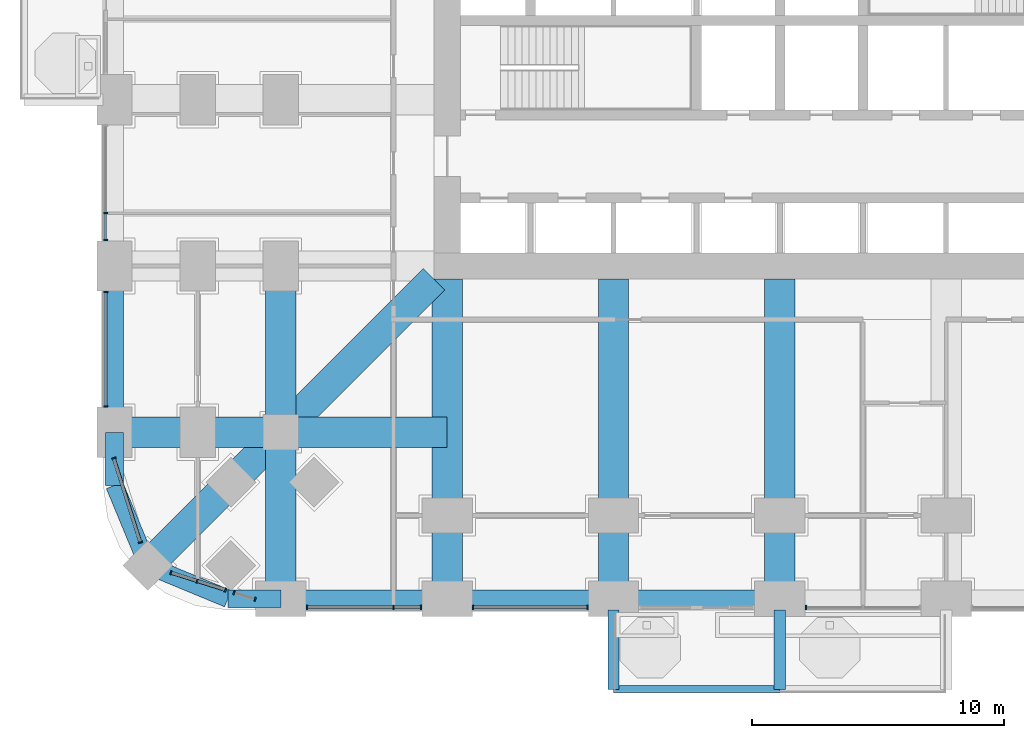
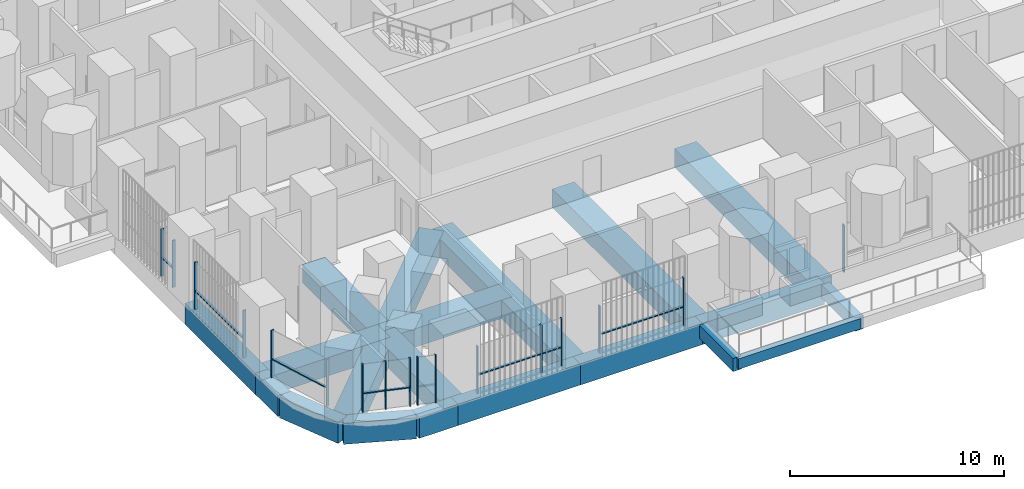
# One storey, part 2 of 24: 25 members, 20 beams, 8 elements without a shape of their own.
"""IFC4 building model written with IfcOpenShell, lengths in metres."""

from ifc_helpers import new_model, si_unit, direction, frame, origin, origin_2d, place, context, subcontext, project, spatial, rectangle, extrude, material, material_profile, profile_set, type_object, element, aggregate, save


model = new_model("IFC4")

# Units and contexts
model_context = context("Model", 3, precision=1e-05, world=origin(), true_north=direction((0.0, 1.0)))
body_context = subcontext(model_context, "Body", "Model", "MODEL_VIEW")
ifc_project = project(units=[si_unit("LENGTHUNIT", "METRE"), si_unit("AREAUNIT", "SQUARE_METRE"), si_unit("VOLUMEUNIT", "CUBIC_METRE"), si_unit("PLANEANGLEUNIT", "RADIAN"), si_unit("MASSUNIT", "GRAM", prefix="KILO")], contexts=[model_context])

# Site, building, storey
site_placement = place(None, origin())
site = spatial("IfcSite", under=ifc_project, at=site_placement, CompositionType="ELEMENT")
building_placement = place(site_placement, origin())
building = spatial("IfcBuilding", under=site, at=building_placement, Name="Cobogo Forest Laboratory Tower", CompositionType="ELEMENT")
storey_placement = place(building_placement, frame((0.0, 0.0, 17.10009765625)))
storey = spatial("IfcBuildingStorey", under=building, at=storey_placement, Name="L03", CompositionType="ELEMENT", Elevation=17.10009765625)

# Beams
ifc_material_1 = material(Name="Concrete HA-40 (C40/50)", Category="concrete")
ifc_material_profile_1 = material_profile(ifc_material_1, rectangle(XDim=0.449951171875, YDim=0.75, at=origin_2d()), Name="RC 450x750")
ifc_profile_set_1 = profile_set([ifc_material_profile_1], Name="Concrete HA-40 (C40/50)")
beam_type_1 = type_object("IfcBeamType", Name="Balcony cantilever beam 450x750", PredefinedType="BEAM", material=ifc_profile_set_1)
for number, where, z_axis, x_axis, name in (
    (1, (19.800048828125, -0.449951171875, -0.625), (0.0, -1.0, 0.0), (1.0, 0.0, 0.0), "CB1 BAL-S1-C1 L03"),
    (2, (26.39990234375, -0.449951171875, -0.625), (0.0, -1.0, 0.0), (1.0, 0.0, 0.0), "CB1 BAL-S1-C2 L03"),
):
    element("IfcBeam", number, at=place(storey_placement, frame(where, z_axis=z_axis, x_axis=x_axis)), inside=storey, type_object=beam_type_1, Name=name, PredefinedType="BEAM", context=body_context, shape_type="SweptSolid", body=[
        extrude(rectangle(XDim=0.449951171875, YDim=0.75, at=origin_2d()), origin(), (0.0, 0.0, 1.0), 3.150146484375),
    ])
ifc_material_profile_2 = material_profile(ifc_material_1, rectangle(XDim=0.300048828125, YDim=0.60009765625, at=origin_2d()), Name="RC 300x600")
ifc_profile_set_2 = profile_set([ifc_material_profile_2], Name="Concrete HA-40 (C40/50)")
beam_type_2 = type_object("IfcBeamType", Name="Balcony edge beam 300x600", PredefinedType="BEAM", material=ifc_profile_set_2)
beam_1_placement = place(storey_placement, frame((19.800048828125, -3.60009765625, -0.550048828125), z_axis=(1.0, 0.0, 0.0), x_axis=(0.0, 1.0, 0.0)))
element("IfcBeam", 3, at=beam_1_placement, inside=storey, type_object=beam_type_2, Name="BB1 BAL-S1-T1 L03", PredefinedType="BEAM", context=body_context, shape_type="SweptSolid", body=[
    extrude(rectangle(XDim=0.300048828125, YDim=0.60009765625, at=origin_2d()), origin(), (0.0, 0.0, 1.0), 6.599853515625),
])
ifc_material_profile_3 = material_profile(ifc_material_1, rectangle(XDim=1.199951171875, YDim=1.050048828125, at=origin_2d()), Name="RC 1200x1050")
ifc_profile_set_3 = profile_set([ifc_material_profile_3], Name="Concrete HA-40 (C40/50)")
beam_type_3 = type_object("IfcBeamType", Name="Laboratory floor wide beam 1200x1050", PredefinedType="BEAM", material=ifc_profile_set_3)
for number, where, z_axis, x_axis, name in (
    (4, (13.199951171875, 12.675048828125, -0.8251953125), (0.0, -1.0, 0.0), (1.0, 0.0, 0.0), "RB1 R-3-S L03"),
    (5, (19.800048828125, 12.675048828125, -0.8251953125), (0.0, -1.0, 0.0), (1.0, 0.0, 0.0), "RB1 R-4-S L03"),
    (6, (26.39990234375, 12.675048828125, -0.8251953125), (0.0, -1.0, 0.0), (1.0, 0.0, 0.0), "RB1 R-5-S L03"),
):
    element("IfcBeam", number, at=place(storey_placement, frame(where, z_axis=z_axis, x_axis=x_axis)), inside=storey, type_object=beam_type_3, Name=name, PredefinedType="BEAM", context=body_context, shape_type="SweptSolid", body=[
        extrude(rectangle(XDim=1.199951171875, YDim=1.050048828125, at=origin_2d()), origin(), (0.0, 0.0, 1.0), 12.675048828125),
    ])
beam_2_placement = place(storey_placement, frame((6.60009765625, 0.0, -0.8251953125), z_axis=(0.0, 1.0, 0.0), x_axis=(-1.0, 0.0, 0.0)))
element("IfcBeam", 7, at=beam_2_placement, inside=storey, type_object=beam_type_3, Name="RB1 G-SW-XF L03", PredefinedType="BEAM", context=body_context, shape_type="SweptSolid", body=[
    extrude(rectangle(XDim=1.199951171875, YDim=1.050048828125, at=origin_2d()), origin(), (0.0, 0.0, 1.0), 6.60009765625),
])
beam_3_placement = place(storey_placement, frame((6.60009765625, 6.60009765625, -0.8251953125), z_axis=(0.0, 1.0, 0.0), x_axis=(-1.0, 0.0, 0.0)))
element("IfcBeam", 8, at=beam_3_placement, inside=storey, type_object=beam_type_3, Name="RB1 G-SW-XC L03", PredefinedType="BEAM", context=body_context, shape_type="SweptSolid", body=[
    extrude(rectangle(XDim=1.199951171875, YDim=1.050048828125, at=origin_2d()), origin(), (0.0, 0.0, 1.0), 6.599853515625),
])
beam_4_placement = place(storey_placement, frame((0.0, 6.60009765625, -0.8251953125), z_axis=(1.0, 0.0, 0.0), x_axis=(0.0, 1.0, 0.0)))
element("IfcBeam", 9, at=beam_4_placement, inside=storey, type_object=beam_type_3, Name="RB1 G-SW-YF L03", PredefinedType="BEAM", context=body_context, shape_type="SweptSolid", body=[
    extrude(rectangle(XDim=1.199951171875, YDim=1.050048828125, at=origin_2d()), origin(), (0.0, 0.0, 1.0), 6.60009765625),
])
beam_5_placement = place(storey_placement, frame((6.60009765625, 6.60009765625, -0.8251953125), z_axis=(1.0, 0.0, 0.0), x_axis=(0.0, 1.0, 0.0)))
element("IfcBeam", 10, at=beam_5_placement, inside=storey, type_object=beam_type_3, Name="RB1 G-SW-YC L03", PredefinedType="BEAM", context=body_context, shape_type="SweptSolid", body=[
    extrude(rectangle(XDim=1.199951171875, YDim=1.050048828125, at=origin_2d()), origin(), (0.0, 0.0, 1.0), 6.599853515625),
])
beam_6_placement = place(storey_placement, frame((1.318115234375, 1.318115234375, -0.8251953125), z_axis=(0.707106781187, 0.707106781187, 0.0), x_axis=(-0.707106781187, 0.707106781187, 0.0)))
element("IfcBeam", 11, at=beam_6_placement, inside=storey, type_object=beam_type_3, Name="RB1 G-SW-D1 L03", PredefinedType="BEAM", context=body_context, shape_type="SweptSolid", body=[
    extrude(rectangle(XDim=1.199951171875, YDim=1.050048828125, at=origin_2d()), origin(), (0.0, 0.0, 1.0), 7.469970703125),
])
beam_7_placement = place(storey_placement, frame((6.60009765625, 6.60009765625, -0.8251953125), z_axis=(0.707106781187, 0.707106781187, 0.0), x_axis=(-0.707106781187, 0.707106781187, 0.0)))
element("IfcBeam", 12, at=beam_7_placement, inside=storey, type_object=beam_type_3, Name="RB1 G-SW-D2 L03", PredefinedType="BEAM", context=body_context, shape_type="SweptSolid", body=[
    extrude(rectangle(XDim=1.199951171875, YDim=1.050048828125, at=origin_2d()), origin(), (0.0, 0.0, 1.0), 8.59130859375),
])

# Curtain wall, members
ifc_material_2 = material(Name="Aluminium curtain wall", Category="aluminium")
curtain_wall_type = type_object("IfcCurtainWallType", Name="CW-1 unitised curtain wall, clear glazing, laboratory floors zones A and B", PredefinedType="USERDEFINED", material=ifc_material_2)
curtain_wall_1_placement = place(storey_placement, origin())
curtain_wall_1 = element("IfcCurtainWall", 13, at=curtain_wall_1_placement, inside=storey, type_object=curtain_wall_type, Name="Curtain wall 01 L03", ObjectType="UNITISED CURTAIN WALL", PredefinedType="USERDEFINED")
ifc_material_3 = material(Name="Aluminium mullion", Category="aluminium")
ifc_material_profile_4 = material_profile(ifc_material_3, rectangle(XDim=0.06005859375, YDim=0.159912109375, at=origin_2d()), Name="AL 60x160")
ifc_profile_set_4 = profile_set([ifc_material_profile_4], Name="Aluminium mullion")
member_type_1 = type_object("IfcMemberType", Name="MU-1 aluminium mullion 60x160", PredefinedType="MULLION", material=ifc_profile_set_4)
member_1_placement = place(storey_placement, frame((7.6298828125, -0.35009765625, 0.0), z_axis=(0.0, 0.0, 1.0), x_axis=(1.0, 0.0, 0.0)))
member_1 = element("IfcMember", 14, at=member_1_placement, type_object=member_type_1, Name="CW-1 mullion 1", PredefinedType="MULLION", context=body_context, shape_type="SweptSolid", body=[
    extrude(rectangle(XDim=0.06005859375, YDim=0.159912109375, at=origin_2d()), origin(), (0.0, 0.0, 1.0), 2.699951171875),
])
member_2_placement = place(storey_placement, frame((11.074951171875, -0.35009765625, 0.0), z_axis=(0.0, 0.0, 1.0), x_axis=(1.0, 0.0, 0.0)))
member_2 = element("IfcMember", 15, at=member_2_placement, type_object=member_type_1, Name="CW-1 mullion 2", PredefinedType="MULLION", context=body_context, shape_type="SweptSolid", body=[
    extrude(rectangle(XDim=0.06005859375, YDim=0.159912109375, at=origin_2d()), origin(), (0.0, 0.0, 1.0), 2.699951171875),
])
member_3_placement = place(storey_placement, frame((12.169921875, -0.35009765625, 0.0), z_axis=(0.0, 0.0, 1.0), x_axis=(1.0, 0.0, 0.0)))
member_3 = element("IfcMember", 16, at=member_3_placement, type_object=member_type_1, Name="CW-1 mullion 3", PredefinedType="MULLION", context=body_context, shape_type="SweptSolid", body=[
    extrude(rectangle(XDim=0.06005859375, YDim=0.159912109375, at=origin_2d()), origin(), (0.0, 0.0, 1.0), 2.699951171875),
])

curtain_wall_2_placement = place(storey_placement, origin())
curtain_wall_2 = element("IfcCurtainWall", 17, at=curtain_wall_2_placement, inside=storey, type_object=curtain_wall_type, Name="Curtain wall 02 L03", ObjectType="UNITISED CURTAIN WALL", PredefinedType="USERDEFINED")
member_4_placement = place(storey_placement, frame((14.22998046875, -0.35009765625, 0.0), z_axis=(0.0, 0.0, 1.0), x_axis=(1.0, 0.0, 0.0)))
member_4 = element("IfcMember", 18, at=member_4_placement, type_object=member_type_1, Name="CW-1 mullion 1", PredefinedType="MULLION", context=body_context, shape_type="SweptSolid", body=[
    extrude(rectangle(XDim=0.06005859375, YDim=0.159912109375, at=origin_2d()), origin(), (0.0, 0.0, 1.0), 2.699951171875),
])
member_5_placement = place(storey_placement, frame((18.77001953125, -0.35009765625, 0.0), z_axis=(0.0, 0.0, 1.0), x_axis=(1.0, 0.0, 0.0)))
member_5 = element("IfcMember", 19, at=member_5_placement, type_object=member_type_1, Name="CW-1 mullion 2", PredefinedType="MULLION", context=body_context, shape_type="SweptSolid", body=[
    extrude(rectangle(XDim=0.06005859375, YDim=0.159912109375, at=origin_2d()), origin(), (0.0, 0.0, 1.0), 2.699951171875),
])

# Curtain wall, member
curtain_wall_3_placement = place(storey_placement, origin())
curtain_wall_3 = element("IfcCurtainWall", 20, at=curtain_wall_3_placement, inside=storey, type_object=curtain_wall_type, Name="Curtain wall 04 L03", ObjectType="UNITISED CURTAIN WALL", PredefinedType="USERDEFINED")
member_6_placement = place(storey_placement, frame((27.429931640625, -0.35009765625, 0.0), z_axis=(0.0, 0.0, 1.0), x_axis=(1.0, 0.0, 0.0)))
member_6 = element("IfcMember", 21, at=member_6_placement, type_object=member_type_1, Name="CW-1 mullion 1", PredefinedType="MULLION", context=body_context, shape_type="SweptSolid", body=[
    extrude(rectangle(XDim=0.06005859375, YDim=0.159912109375, at=origin_2d()), origin(), (0.0, 0.0, 1.0), 2.699951171875),
])
aggregate(curtain_wall_3, [member_6])

# Curtain wall, members
curtain_wall_4_placement = place(storey_placement, origin())
curtain_wall_4 = element("IfcCurtainWall", 22, at=curtain_wall_4_placement, inside=storey, type_object=curtain_wall_type, Name="Curtain wall 30 L03", ObjectType="UNITISED CURTAIN WALL", PredefinedType="USERDEFINED")
member_7_placement = place(storey_placement, frame((-0.35009765625, 15.300048828125, 0.0), z_axis=(0.0, 0.0, 1.0), x_axis=(0.0, -1.0, 0.0)))
member_7 = element("IfcMember", 23, at=member_7_placement, type_object=member_type_1, Name="CW-1 mullion 2", PredefinedType="MULLION", context=body_context, shape_type="SweptSolid", body=[
    extrude(rectangle(XDim=0.06005859375, YDim=0.159912109375, at=origin_2d()), origin(), (0.0, 0.0, 1.0), 2.699951171875),
])
member_8_placement = place(storey_placement, frame((-0.35009765625, 14.22998046875, 0.0), z_axis=(0.0, 0.0, 1.0), x_axis=(0.0, -1.0, 0.0)))
member_8 = element("IfcMember", 24, at=member_8_placement, type_object=member_type_1, Name="CW-1 mullion 3", PredefinedType="MULLION", context=body_context, shape_type="SweptSolid", body=[
    extrude(rectangle(XDim=0.06005859375, YDim=0.159912109375, at=origin_2d()), origin(), (0.0, 0.0, 1.0), 2.699951171875),
])

curtain_wall_5_placement = place(storey_placement, origin())
curtain_wall_5 = element("IfcCurtainWall", 25, at=curtain_wall_5_placement, inside=storey, type_object=curtain_wall_type, Name="Curtain wall 31 L03", ObjectType="UNITISED CURTAIN WALL", PredefinedType="USERDEFINED")
member_9_placement = place(storey_placement, frame((-0.35009765625, 12.169921875, 0.0), z_axis=(0.0, 0.0, 1.0), x_axis=(0.0, -1.0, 0.0)))
member_9 = element("IfcMember", 26, at=member_9_placement, type_object=member_type_1, Name="CW-1 mullion 1", PredefinedType="MULLION", context=body_context, shape_type="SweptSolid", body=[
    extrude(rectangle(XDim=0.06005859375, YDim=0.159912109375, at=origin_2d()), origin(), (0.0, 0.0, 1.0), 2.699951171875),
])
member_10_placement = place(storey_placement, frame((-0.35009765625, 7.6298828125, 0.0), z_axis=(0.0, 0.0, 1.0), x_axis=(0.0, -1.0, 0.0)))
member_10 = element("IfcMember", 27, at=member_10_placement, type_object=member_type_1, Name="CW-1 mullion 2", PredefinedType="MULLION", context=body_context, shape_type="SweptSolid", body=[
    extrude(rectangle(XDim=0.06005859375, YDim=0.159912109375, at=origin_2d()), origin(), (0.0, 0.0, 1.0), 2.699951171875),
])

curtain_wall_6_placement = place(storey_placement, origin())
curtain_wall_6 = element("IfcCurtainWall", 28, at=curtain_wall_6_placement, inside=storey, type_object=curtain_wall_type, Name="Curtain wall 32 L03", ObjectType="UNITISED CURTAIN WALL", PredefinedType="USERDEFINED")
member_11_placement = place(storey_placement, frame((-0.025146484375, 5.5712890625, 0.0), z_axis=(0.0, 0.0, 1.0), x_axis=(0.301135433696, -0.953581381201, 0.0)))
member_11 = element("IfcMember", 29, at=member_11_placement, type_object=member_type_1, Name="CW-1 mullion 1", PredefinedType="MULLION", context=body_context, shape_type="SweptSolid", body=[
    extrude(rectangle(XDim=0.06005859375, YDim=0.159912109375, at=origin_2d()), origin(), (0.0, 0.0, 1.0), 2.699951171875),
])
member_12_placement = place(storey_placement, frame((1.02734375, 2.23876953125, 0.0), z_axis=(0.0, 0.0, 1.0), x_axis=(0.301135433696, -0.953581381201, 0.0)))
member_12 = element("IfcMember", 30, at=member_12_placement, type_object=member_type_1, Name="CW-1 mullion 2", PredefinedType="MULLION", context=body_context, shape_type="SweptSolid", body=[
    extrude(rectangle(XDim=0.06005859375, YDim=0.159912109375, at=origin_2d()), origin(), (0.0, 0.0, 1.0), 2.699951171875),
])

curtain_wall_7_placement = place(storey_placement, origin())
curtain_wall_7 = element("IfcCurtainWall", 31, at=curtain_wall_7_placement, inside=storey, type_object=curtain_wall_type, Name="Curtain wall 33 L03", ObjectType="UNITISED CURTAIN WALL", PredefinedType="USERDEFINED")
member_13_placement = place(storey_placement, frame((2.23876953125, 1.02734375, 0.0), z_axis=(0.0, 0.0, 1.0), x_axis=(0.953581409645, -0.301135343623, 0.0)))
member_13 = element("IfcMember", 32, at=member_13_placement, type_object=member_type_1, Name="CW-1 mullion 1", PredefinedType="MULLION", context=body_context, shape_type="SweptSolid", body=[
    extrude(rectangle(XDim=0.06005859375, YDim=0.159912109375, at=origin_2d()), origin(), (0.0, 0.0, 1.0), 2.699951171875),
])
member_14_placement = place(storey_placement, frame((3.27587890625, 0.69970703125, 0.0), z_axis=(0.0, 0.0, 1.0), x_axis=(0.953581409645, -0.301135343623, 0.0)))
member_14 = element("IfcMember", 33, at=member_14_placement, type_object=member_type_1, Name="CW-1 mullion 2", PredefinedType="MULLION", context=body_context, shape_type="SweptSolid", body=[
    extrude(rectangle(XDim=0.06005859375, YDim=0.159912109375, at=origin_2d()), origin(), (0.0, 0.0, 1.0), 2.699951171875),
])
member_15_placement = place(storey_placement, frame((4.39697265625, 0.345703125, 0.0), z_axis=(0.0, 0.0, 1.0), x_axis=(0.953581409645, -0.301135343623, 0.0)))
member_15 = element("IfcMember", 34, at=member_15_placement, type_object=member_type_1, Name="CW-1 mullion 3", PredefinedType="MULLION", context=body_context, shape_type="SweptSolid", body=[
    extrude(rectangle(XDim=0.06005859375, YDim=0.159912109375, at=origin_2d()), origin(), (0.0, 0.0, 1.0), 2.699951171875),
])

curtain_wall_8_placement = place(storey_placement, origin())
curtain_wall_8 = element("IfcCurtainWall", 35, at=curtain_wall_8_placement, inside=storey, type_object=curtain_wall_type, Name="Curtain wall 34 L03", ObjectType="UNITISED CURTAIN WALL", PredefinedType="USERDEFINED")
member_16_placement = place(storey_placement, frame((4.74658203125, 0.2353515625, 0.0), z_axis=(0.0, 0.0, 1.0), x_axis=(0.953581406818, -0.301135352577, 0.0)))
member_16 = element("IfcMember", 36, at=member_16_placement, type_object=member_type_1, Name="CW-1 mullion 1", PredefinedType="MULLION", context=body_context, shape_type="SweptSolid", body=[
    extrude(rectangle(XDim=0.06005859375, YDim=0.159912109375, at=origin_2d()), origin(), (0.0, 0.0, 1.0), 2.699951171875),
])
member_17_placement = place(storey_placement, frame((5.5712890625, -0.025146484375, 0.0), z_axis=(0.0, 0.0, 1.0), x_axis=(0.953581406818, -0.301135352577, 0.0)))
member_17 = element("IfcMember", 37, at=member_17_placement, type_object=member_type_1, Name="CW-1 mullion 2", PredefinedType="MULLION", context=body_context, shape_type="SweptSolid", body=[
    extrude(rectangle(XDim=0.06005859375, YDim=0.159912109375, at=origin_2d()), origin(), (0.0, 0.0, 1.0), 2.699951171875),
])
aggregate(curtain_wall_8, [member_16, member_17])

# Beams
ifc_material_profile_5 = material_profile(ifc_material_1, rectangle(XDim=0.699951171875, YDim=1.199951171875, at=origin_2d()), Name="RC 700x1200")
ifc_profile_set_5 = profile_set([ifc_material_profile_5], Name="Concrete HA-40 (C40/50)")
beam_type_4 = type_object("IfcBeamType", Name="Perimeter edge beam 700x1200", PredefinedType="BEAM", material=ifc_profile_set_5)
beam_8_placement = place(storey_placement, frame((6.60009765625, 0.0, -0.900146484375), z_axis=(1.0, 0.0, 0.0), x_axis=(0.0, 1.0, 0.0)))
element("IfcBeam", 38, at=beam_8_placement, inside=storey, type_object=beam_type_4, Name="EB1 E-S1 L03", PredefinedType="BEAM", context=body_context, shape_type="SweptSolid", body=[
    extrude(rectangle(XDim=0.699951171875, YDim=1.199951171875, at=origin_2d()), origin(), (0.0, 0.0, 1.0), 6.599853515625),
])
beam_9_placement = place(storey_placement, frame((13.199951171875, 0.0, -0.900146484375), z_axis=(1.0, 0.0, 0.0), x_axis=(0.0, 1.0, 0.0)))
element("IfcBeam", 39, at=beam_9_placement, inside=storey, type_object=beam_type_4, Name="EB1 E-S2 L03", PredefinedType="BEAM", context=body_context, shape_type="SweptSolid", body=[
    extrude(rectangle(XDim=0.699951171875, YDim=1.199951171875, at=origin_2d()), origin(), (0.0, 0.0, 1.0), 6.60009765625),
])
for number, where, z_axis, x_axis, name in (
    (40, (19.800048828125, 0.0, -0.900146484375), (1.0, 0.0, 0.0), (0.0, 1.0, 0.0), "EB1 E-S3 L03"),
    (41, (0.0, 6.60009765625, -0.900146484375), (0.0, 1.0, 0.0), (-1.0, 0.0, 0.0), "EB1 E-W1 L03"),
):
    element("IfcBeam", number, at=place(storey_placement, frame(where, z_axis=z_axis, x_axis=x_axis)), inside=storey, type_object=beam_type_4, Name=name, PredefinedType="BEAM", context=body_context, shape_type="SweptSolid", body=[
        extrude(rectangle(XDim=0.699951171875, YDim=1.199951171875, at=origin_2d()), origin(), (0.0, 0.0, 1.0), 6.599853515625),
    ])
beam_10_placement = place(storey_placement, frame((6.60009765625, 0.0, -0.900146484375), z_axis=(-1.0, 0.0, 0.0), x_axis=(0.0, -1.0, 0.0)))
element("IfcBeam", 42, at=beam_10_placement, inside=storey, type_object=beam_type_4, Name="EB1 E-SWS1 L03", PredefinedType="BEAM", context=body_context, shape_type="SweptSolid", body=[
    extrude(rectangle(XDim=0.699951171875, YDim=1.199951171875, at=origin_2d()), origin(), (0.0, 0.0, 1.0), 2.10009765625),
])
beam_11_placement = place(storey_placement, frame((4.5, 0.0, -0.900146484375), z_axis=(-0.923865631356, 0.382716990999, 0.0), x_axis=(-0.382716990999, -0.923865631356, 0.0)))
element("IfcBeam", 43, at=beam_11_placement, inside=storey, type_object=beam_type_4, Name="EB1 E-SWS2 L03", PredefinedType="BEAM", context=body_context, shape_type="SweptSolid", body=[
    extrude(rectangle(XDim=0.699951171875, YDim=1.199951171875, at=origin_2d()), origin(), (0.0, 0.0, 1.0), 3.444091796875),
])
beam_12_placement = place(storey_placement, frame((0.0, 6.60009765625, -0.900146484375), z_axis=(0.0, -1.0, 0.0), x_axis=(1.0, 0.0, 0.0)))
element("IfcBeam", 44, at=beam_12_placement, inside=storey, type_object=beam_type_4, Name="EB1 E-SWW1 L03", PredefinedType="BEAM", context=body_context, shape_type="SweptSolid", body=[
    extrude(rectangle(XDim=0.699951171875, YDim=1.199951171875, at=origin_2d()), origin(), (0.0, 0.0, 1.0), 2.10009765625),
])
beam_13_placement = place(storey_placement, frame((0.0, 4.5, -0.900146484375), z_axis=(0.382716990999, -0.923865631356, 0.0), x_axis=(0.923865631356, 0.382716990999, 0.0)))
element("IfcBeam", 45, at=beam_13_placement, inside=storey, type_object=beam_type_4, Name="EB1 E-SWW2 L03", PredefinedType="BEAM", context=body_context, shape_type="SweptSolid", body=[
    extrude(rectangle(XDim=0.699951171875, YDim=1.199951171875, at=origin_2d()), origin(), (0.0, 0.0, 1.0), 3.444091796875),
])

# Member
ifc_material_4 = material(Name="Aluminium transom", Category="aluminium")
ifc_material_profile_6 = material_profile(ifc_material_4, rectangle(XDim=0.1201171875, YDim=0.06005859375, at=origin_2d()), Name="AL 60x120")
ifc_profile_set_6 = profile_set([ifc_material_profile_6], Name="Aluminium transom")
member_type_2 = type_object("IfcMemberType", Name="TR-1 aluminium transom 60x120", PredefinedType="USERDEFINED", material=ifc_profile_set_6)
member_18_placement = place(storey_placement, frame((7.659912109375, -0.35009765625, 1.0498046875), z_axis=(1.0, 0.0, 0.0), x_axis=(0.0, 1.0, 0.0)))
member_18 = element("IfcMember", 46, at=member_18_placement, type_object=member_type_2, Name="CW-1 transom 1.1", ObjectType="TRANSOM", PredefinedType="USERDEFINED", context=body_context, shape_type="SweptSolid", body=[
    extrude(rectangle(XDim=0.1201171875, YDim=0.06005859375, at=origin_2d()), origin(), (0.0, 0.0, 1.0), 3.385009765625),
])

member_19_placement = place(storey_placement, frame((11.10498046875, -0.35009765625, 1.0498046875), z_axis=(1.0, 0.0, 0.0), x_axis=(0.0, 1.0, 0.0)))
member_19 = element("IfcMember", 47, at=member_19_placement, type_object=member_type_2, Name="CW-1 transom 2.1", ObjectType="TRANSOM", PredefinedType="USERDEFINED", context=body_context, shape_type="SweptSolid", body=[
    extrude(rectangle(XDim=0.1201171875, YDim=0.06005859375, at=origin_2d()), origin(), (0.0, 0.0, 1.0), 1.034912109375),
])

aggregate(curtain_wall_1, [member_1, member_2, member_3, member_18, member_19])

member_20_placement = place(storey_placement, frame((14.260009765625, -0.35009765625, 1.0498046875), z_axis=(1.0, 0.0, 0.0), x_axis=(0.0, 1.0, 0.0)))
member_20 = element("IfcMember", 48, at=member_20_placement, type_object=member_type_2, Name="CW-1 transom 1.1", ObjectType="TRANSOM", PredefinedType="USERDEFINED", context=body_context, shape_type="SweptSolid", body=[
    extrude(rectangle(XDim=0.1201171875, YDim=0.06005859375, at=origin_2d()), origin(), (0.0, 0.0, 1.0), 4.47998046875),
])

aggregate(curtain_wall_2, [member_4, member_5, member_20])

member_21_placement = place(storey_placement, frame((-0.35009765625, 15.27001953125, 1.0498046875), z_axis=(0.0, -1.0, 0.0), x_axis=(1.0, 0.0, 0.0)))
member_21 = element("IfcMember", 49, at=member_21_placement, type_object=member_type_2, Name="CW-1 transom 2.1", ObjectType="TRANSOM", PredefinedType="USERDEFINED", context=body_context, shape_type="SweptSolid", body=[
    extrude(rectangle(XDim=0.1201171875, YDim=0.06005859375, at=origin_2d()), origin(), (0.0, 0.0, 1.0), 1.010009765625),
])

aggregate(curtain_wall_4, [member_7, member_8, member_21])

member_22_placement = place(storey_placement, frame((-0.35009765625, 12.139892578125, 1.0498046875), z_axis=(0.0, -1.0, 0.0), x_axis=(1.0, 0.0, 0.0)))
member_22 = element("IfcMember", 50, at=member_22_placement, type_object=member_type_2, Name="CW-1 transom 1.1", ObjectType="TRANSOM", PredefinedType="USERDEFINED", context=body_context, shape_type="SweptSolid", body=[
    extrude(rectangle(XDim=0.1201171875, YDim=0.06005859375, at=origin_2d()), origin(), (0.0, 0.0, 1.0), 4.47998046875),
])

aggregate(curtain_wall_5, [member_9, member_10, member_22])

member_23_placement = place(storey_placement, frame((-0.01611328125, 5.542724609375, 1.0498046875), z_axis=(0.301155179686, -0.953575145308, 0.0), x_axis=(0.953575145308, 0.301155179686, 0.0)))
member_23 = element("IfcMember", 51, at=member_23_placement, type_object=member_type_2, Name="CW-1 transom 1.1", ObjectType="TRANSOM", PredefinedType="USERDEFINED", context=body_context, shape_type="SweptSolid", body=[
    extrude(rectangle(XDim=0.1201171875, YDim=0.06005859375, at=origin_2d()), origin(), (0.0, 0.0, 1.0), 3.434814453125),
])

aggregate(curtain_wall_6, [member_11, member_12, member_23])

member_24_placement = place(storey_placement, frame((2.267333984375, 1.018310546875, 1.0498046875), z_axis=(0.953553938535, -0.301222320394, 0.0), x_axis=(0.301222320394, 0.953553938535, 0.0)))
member_24 = element("IfcMember", 52, at=member_24_placement, type_object=member_type_2, Name="CW-1 transom 1.1", ObjectType="TRANSOM", PredefinedType="USERDEFINED", context=body_context, shape_type="SweptSolid", body=[
    extrude(rectangle(XDim=0.1201171875, YDim=0.06005859375, at=origin_2d()), origin(), (0.0, 0.0, 1.0), 1.02783203125),
])

member_25_placement = place(storey_placement, frame((3.304443359375, 0.690673828125, 1.0498046875), z_axis=(0.953595892327, -0.301089478624, 0.0), x_axis=(0.301089478624, 0.953595892327, 0.0)))
member_25 = element("IfcMember", 53, at=member_25_placement, type_object=member_type_2, Name="CW-1 transom 2.1", ObjectType="TRANSOM", PredefinedType="USERDEFINED", context=body_context, shape_type="SweptSolid", body=[
    extrude(rectangle(XDim=0.1201171875, YDim=0.06005859375, at=origin_2d()), origin(), (0.0, 0.0, 1.0), 1.11572265625),
])

aggregate(curtain_wall_7, [member_13, member_14, member_15, member_24, member_25])

save(model, "model.ifc")
